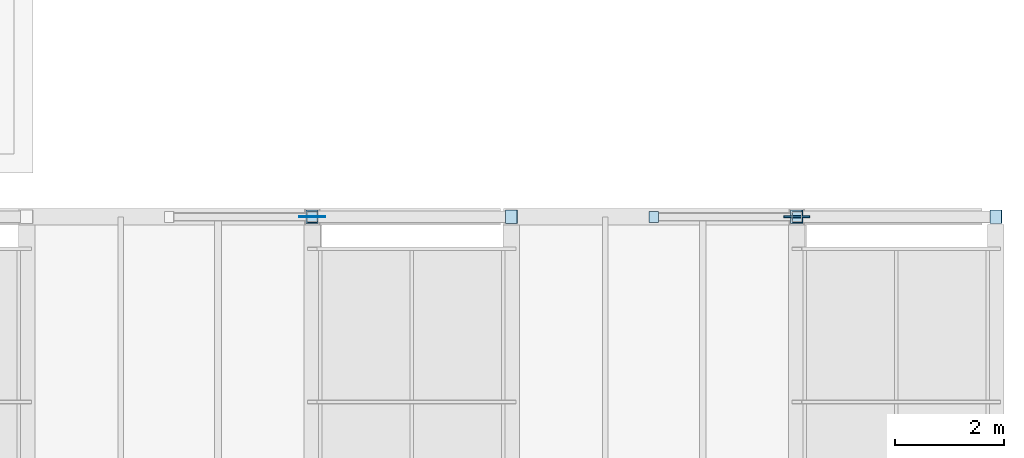
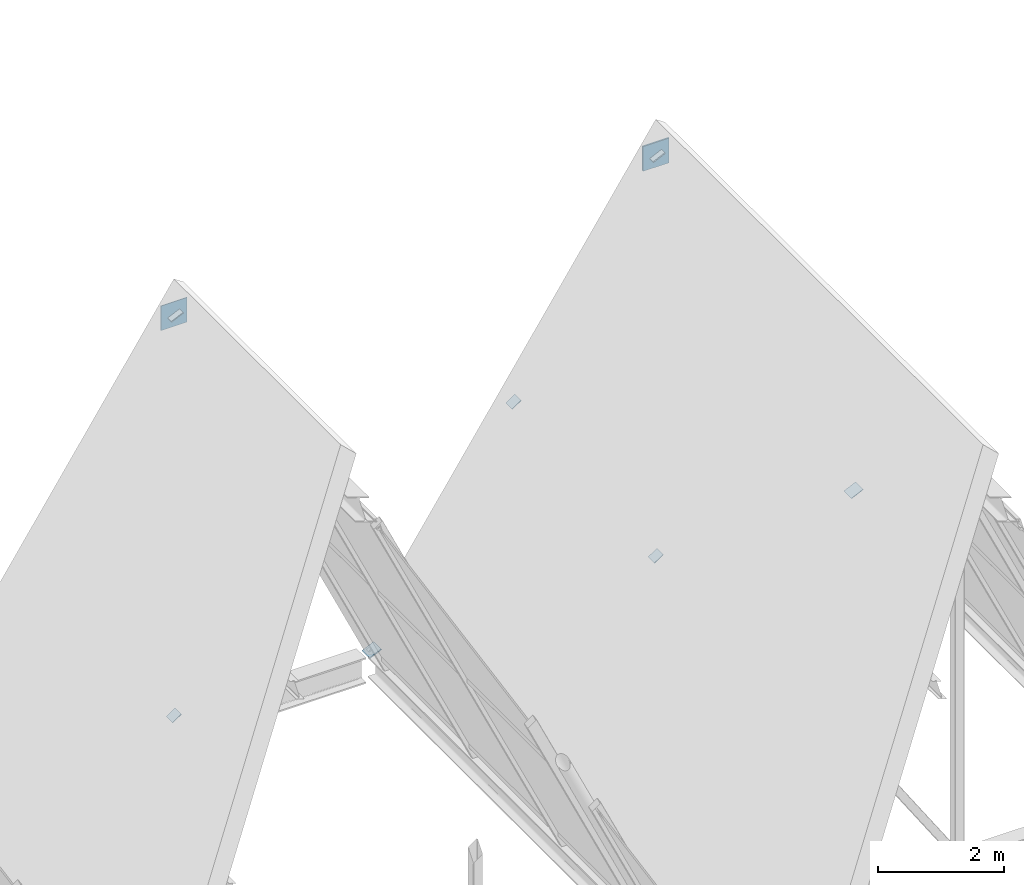
# One storey, part 81 of 99: 9 plates.
"""IFC4 building model written with IfcOpenShell, lengths in metres."""

from ifc_helpers import new_model, si_unit, direction, frame, origin, origin_2d, place, context, subcontext, project, spatial, rectangle, extrude, material, layer, layer_set, type_object, element, save


model = new_model("IFC4")

# Units and contexts
model_context = context("Model", 3, precision=1e-05, world=origin(), true_north=direction((0.0, 1.0)))
body_context = subcontext(model_context, "Body", "Model", "MODEL_VIEW")
ifc_project = project(units=[si_unit("LENGTHUNIT", "METRE"), si_unit("AREAUNIT", "SQUARE_METRE"), si_unit("VOLUMEUNIT", "CUBIC_METRE"), si_unit("PLANEANGLEUNIT", "RADIAN"), si_unit("MASSUNIT", "GRAM", prefix="KILO")], contexts=[model_context])

# Site, building, storey
site_placement = place(None, origin())
site = spatial("IfcSite", under=ifc_project, at=site_placement, CompositionType="ELEMENT")
building_placement = place(site_placement, origin())
building = spatial("IfcBuilding", under=site, at=building_placement, Name="Bramveld Media Centre", CompositionType="ELEMENT")
storey_placement = place(building_placement, frame((0.0, 0.0, 13.800048828125)))
storey = spatial("IfcBuildingStorey", under=building, at=storey_placement, Name="L03", CompositionType="ELEMENT", Elevation=13.800048828125)

# Plates
ifc_material_1 = material(Name="Steel S355J2", Category="steel")
ifc_layer_1 = layer(ifc_material_1, 0.010009765625)
ifc_layer_set_1 = layer_set([ifc_layer_1], Name="Steel S355J2")
plate_type_1 = type_object("IfcPlateType", Name="PLT-CAP-10", PredefinedType="USERDEFINED", material=ifc_layer_set_1)
plate_1_placement = place(storey_placement, frame((173.505615234375, 38.39990234375, 0.0), z_axis=(0.556174588167, 0.0, -0.83106547725), x_axis=(0.0, 1.0, 0.0)))
element("IfcPlate", 1, at=plate_1_placement, inside=storey, type_object=plate_type_1, Name="Hollow section end cap plate CAP-TRUSS-V1-B06-F5-W0", ObjectType="CAP PLATE", PredefinedType="USERDEFINED", context=body_context, shape_type="SweptSolid", body=[
    extrude(rectangle(XDim=0.199951171875, YDim=0.199951171875, at=origin_2d()), origin(), (0.0, 0.0, 1.0), 0.010009765625),
])
plate_2_placement = place(storey_placement, frame((186.0, 38.39990234375, 0.0), z_axis=(0.422618287099, 0.0, -0.906307775212), x_axis=(0.0, 1.0, 0.0)))
element("IfcPlate", 2, at=plate_2_placement, inside=storey, type_object=plate_type_1, Name="Hollow section end cap plate CAP-TRUSS-V1-B07-F5-B", ObjectType="CAP PLATE", PredefinedType="USERDEFINED", context=body_context, shape_type="SweptSolid", body=[
    extrude(rectangle(XDim=0.239990234375, YDim=0.239990234375, at=origin_2d()), origin(), (0.0, 0.0, 1.0), 0.010009765625),
])
for number, where, z_axis, x_axis, name in (
    (3, (182.36279296875, 38.39990234375, 0.0), (0.556174588167, 0.0, -0.83106547725), (0.0, 1.0, 0.0), "Hollow section end cap plate CAP-TRUSS-V1-B07-F5-W0"),
    (4, (179.752685546875, 38.39990234375, 3.89990234375), (-0.556174588167, 0.0, 0.83106547725), (0.0, -1.0, 0.0), "Hollow section end cap plate CAP-TRUSS-V1-B07-F5-W1"),
):
    element("IfcPlate", number, at=place(storey_placement, frame(where, z_axis=z_axis, x_axis=x_axis)), inside=storey, type_object=plate_type_1, Name=name, ObjectType="CAP PLATE", PredefinedType="USERDEFINED", context=body_context, shape_type="SweptSolid", body=[
        extrude(rectangle(XDim=0.199951171875, YDim=0.199951171875, at=origin_2d()), origin(), (0.0, 0.0, 1.0), 0.010009765625),
    ])
ifc_material_2 = material(Name="Steel S355J2", Category="steel")
ifc_layer_2 = layer(ifc_material_2, 0.01806640625)
ifc_layer_set_2 = layer_set([ifc_layer_2], Name="Steel S355J2")
plate_type_2 = type_object("IfcPlateType", Name="PLT-CAP-18", PredefinedType="USERDEFINED", material=ifc_layer_set_2)
plate_3_placement = place(storey_placement, frame((173.505615234375, 38.39990234375, 7.7998046875), z_axis=(-0.422627830907, 0.0, 0.9063033248), x_axis=(0.0, -1.0, 0.0)))
element("IfcPlate", 5, at=plate_3_placement, inside=storey, type_object=plate_type_2, Name="Hollow section end cap plate CAP-TRUSS-V1-B06-F5-A", ObjectType="CAP PLATE", PredefinedType="USERDEFINED", context=body_context, shape_type="SweptSolid", body=[
    extrude(rectangle(XDim=0.239990234375, YDim=0.239990234375, at=origin_2d()), origin(), (0.0, 0.0, 1.0), 0.01806640625),
])
ifc_material_3 = material(Name="Steel S355J2", Category="steel")
ifc_layer_3 = layer(ifc_material_3, 0.02197265625)
ifc_layer_set_3 = layer_set([ifc_layer_3], Name="Steel S355J2")
plate_type_3 = type_object("IfcPlateType", Name="PLT-CAP-22", PredefinedType="USERDEFINED", material=ifc_layer_set_3)
for number, where, z_axis, x_axis, name in (
    (6, (177.142822265625, 38.39990234375, 0.0), (0.422627830907, 0.0, -0.9063033248), (0.0, 1.0, 0.0), "Hollow section end cap plate CAP-TRUSS-V1-B06-F5-B"),
    (7, (182.36279296875, 38.39990234375, 7.800048828125), (-0.422618287099, 0.0, 0.906307775212), (0.0, -1.0, 0.0), "Hollow section end cap plate CAP-TRUSS-V1-B07-F5-A"),
):
    element("IfcPlate", number, at=place(storey_placement, frame(where, z_axis=z_axis, x_axis=x_axis)), inside=storey, type_object=plate_type_3, Name=name, ObjectType="CAP PLATE", PredefinedType="USERDEFINED", context=body_context, shape_type="SweptSolid", body=[
        extrude(rectangle(XDim=0.239990234375, YDim=0.239990234375, at=origin_2d()), origin(), (0.0, 0.0, 1.0), 0.02197265625),
    ])
ifc_material_4 = material(Name="Steel S355J2", Category="steel")
ifc_layer_4 = layer(ifc_material_4, 0.011962890625)
ifc_layer_set_4 = layer_set([ifc_layer_4], Name="Steel S355J2")
plate_type_4 = type_object("IfcPlateType", Name="PLT-GUSSET-12", PredefinedType="USERDEFINED", material=ifc_layer_set_4)
plate_4_placement = place(storey_placement, frame((173.505615234375, 38.39990234375, 7.56005859375), z_axis=(0.0, 0.0, 1.0), x_axis=(1.0, 0.0, 0.0)))
element("IfcPlate", 8, at=plate_4_placement, inside=storey, type_object=plate_type_4, Name="TRUSS-V1-B06-F5 apex node gusset plate", ObjectType="GUSSET PLATE", PredefinedType="USERDEFINED", context=body_context, shape_type="SweptSolid", body=[
    extrude(rectangle(XDim=0.47998046875, YDim=0.011962890625, at=origin_2d()), origin(), (0.0, 0.0, 1.0), 0.47998046875),
])
ifc_material_5 = material(Name="Steel S355J2", Category="steel")
ifc_layer_5 = layer(ifc_material_5, 0.030029296875)
ifc_layer_set_5 = layer_set([ifc_layer_5], Name="Steel S355J2")
plate_type_5 = type_object("IfcPlateType", Name="PLT-GUSSET-30", PredefinedType="USERDEFINED", material=ifc_layer_set_5)
plate_5_placement = place(storey_placement, frame((182.36279296875, 38.39990234375, 7.56005859375), z_axis=(0.0, 0.0, 1.0), x_axis=(1.0, 0.0, 0.0)))
element("IfcPlate", 9, at=plate_5_placement, inside=storey, type_object=plate_type_5, Name="TRUSS-V1-B07-F5 apex node gusset plate", ObjectType="GUSSET PLATE", PredefinedType="USERDEFINED", context=body_context, shape_type="SweptSolid", body=[
    extrude(rectangle(XDim=0.47998046875, YDim=0.030029296875, at=origin_2d()), origin(), (0.0, 0.0, 1.0), 0.47998046875),
])

save(model, "model.ifc")
